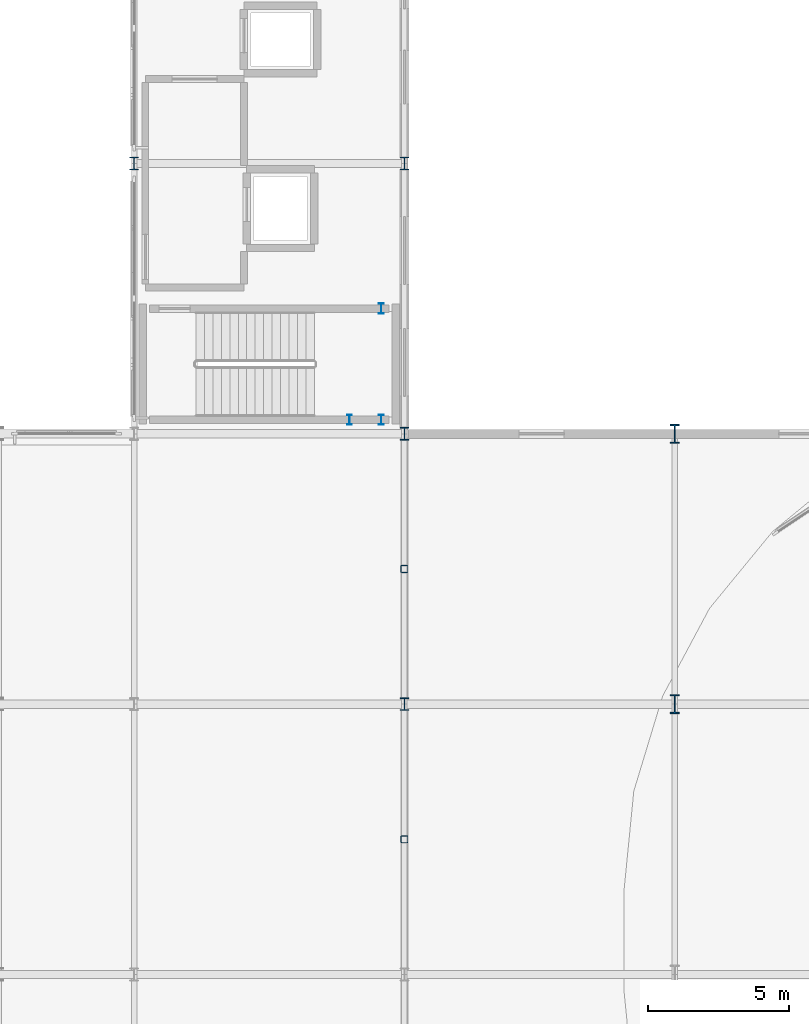
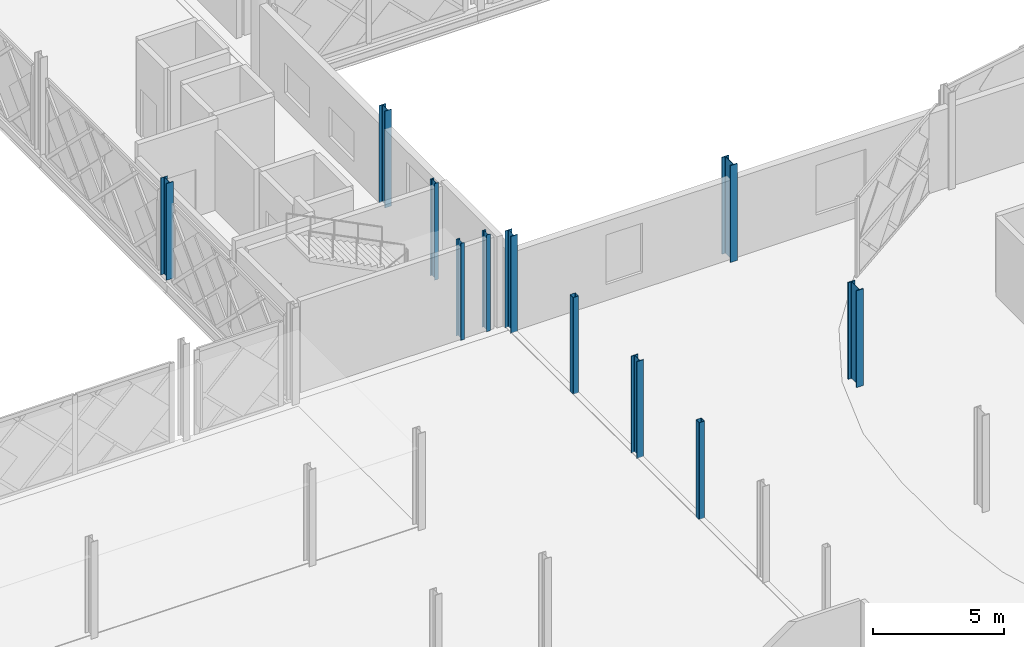
# One storey, part 9 of 101: 11 columns.
"""IFC4 building model written with IfcOpenShell, lengths in metres."""

from ifc_helpers import new_model, si_unit, direction, frame, origin, origin_2d, place, context, subcontext, project, spatial, hollow_rectangle, i_section, extrude, material, material_profile, profile_set, type_object, element, save


model = new_model("IFC4")

# Units and contexts
model_context = context("Model", 3, precision=1e-05, world=origin(), true_north=direction((0.0, 1.0)))
body_context = subcontext(model_context, "Body", "Model", "MODEL_VIEW")
ifc_project = project(units=[si_unit("LENGTHUNIT", "METRE"), si_unit("AREAUNIT", "SQUARE_METRE"), si_unit("VOLUMEUNIT", "CUBIC_METRE"), si_unit("PLANEANGLEUNIT", "RADIAN"), si_unit("MASSUNIT", "GRAM", prefix="KILO")], contexts=[model_context])

# Site, building, storey
site_placement = place(None, origin())
site = spatial("IfcSite", under=ifc_project, at=site_placement, CompositionType="ELEMENT")
building_placement = place(site_placement, origin())
building = spatial("IfcBuilding", under=site, at=building_placement, Name="Zevrakil Square Congress Hotel", CompositionType="ELEMENT")
storey_placement = place(building_placement, frame((0.0, 0.0, 5.39990234375)))
storey = spatial("IfcBuildingStorey", under=building, at=storey_placement, Name="L02", CompositionType="ELEMENT", Elevation=5.39990234375)

# Columns
ifc_material_1 = material(Name="Steel S355", Category="steel")
ifc_material_profile_1 = material_profile(ifc_material_1, i_section(OverallWidth=0.300048828125, OverallDepth=0.449951171875, WebThickness=0.013916015625, FlangeThickness=0.02587890625, FilletRadius=0.027099609375, at=origin_2d()), Name="HEB 450")
ifc_profile_set_1 = profile_set([ifc_material_profile_1], Name="Steel S355")
column_type_1 = type_object("IfcColumnType", Name="COL-HEB450", PredefinedType="COLUMN", material=ifc_profile_set_1)
for number, where, z_axis, x_axis, name in (
    (1, (108.0, 55.199951171875, 0.0), (0.0, 0.0, 1.0), (1.0, 0.0, 0.0), "L02 column C-169"),
    (2, (117.60009765625, 36.0, 0.0), (0.0, 0.0, 1.0), (1.0, 0.0, 0.0), "L02 column C-184"),
    (3, (117.60009765625, 45.60009765625, 0.0), (0.0, 0.0, 1.0), (1.0, 0.0, 0.0), "L02 column C-186"),
    (4, (117.60009765625, 55.199951171875, 0.0), (0.0, 0.0, 1.0), (1.0, 0.0, 0.0), "L02 column C-187"),
):
    element("IfcColumn", number, at=place(storey_placement, frame(where, z_axis=z_axis, x_axis=x_axis)), inside=storey, type_object=column_type_1, Name=name, PredefinedType="COLUMN", context=body_context, shape_type="SweptSolid", body=[
        extrude(i_section(OverallWidth=0.300048828125, OverallDepth=0.449951171875, WebThickness=0.013916015625, FlangeThickness=0.02587890625, FilletRadius=0.027099609375, at=origin_2d()), origin(), (0.0, 0.0, 1.0), 4.5),
    ])
ifc_material_2 = material(Name="Steel S355", Category="steel")
ifc_material_profile_2 = material_profile(ifc_material_2, i_section(OverallWidth=0.304931640625, OverallDepth=0.66796875, WebThickness=0.02099609375, FlangeThickness=0.0400390625, FilletRadius=0.027099609375, at=origin_2d()), Name="HEM 650")
ifc_profile_set_2 = profile_set([ifc_material_profile_2], Name="Steel S355")
column_type_2 = type_object("IfcColumnType", Name="COL-HEM650", PredefinedType="COLUMN", material=ifc_profile_set_2)
for number, where, z_axis, x_axis, name in (
    (5, (127.199951171875, 36.0, 0.0), (0.0, 0.0, 1.0), (1.0, 0.0, 0.0), "L02 column C-199"),
    (6, (127.199951171875, 45.60009765625, 0.0), (0.0, 0.0, 1.0), (1.0, 0.0, 0.0), "L02 column C-200"),
):
    element("IfcColumn", number, at=place(storey_placement, frame(where, z_axis=z_axis, x_axis=x_axis)), inside=storey, type_object=column_type_2, Name=name, PredefinedType="COLUMN", context=body_context, shape_type="SweptSolid", body=[
        extrude(i_section(OverallWidth=0.304931640625, OverallDepth=0.66796875, WebThickness=0.02099609375, FlangeThickness=0.0400390625, FilletRadius=0.027099609375, at=origin_2d()), origin(), (0.0, 0.0, 1.0), 4.5),
    ])
ifc_material_3 = material(Name="Steel S355", Category="steel")
ifc_material_profile_3 = material_profile(ifc_material_3, i_section(OverallWidth=0.169921875, OverallDepth=0.360107421875, WebThickness=0.008056640625, FlangeThickness=0.0126953125, FilletRadius=0.01806640625, at=origin_2d()), Name="IPE 360")
ifc_profile_set_3 = profile_set([ifc_material_profile_3], Name="Steel S355")
column_type_3 = type_object("IfcColumnType", Name="COL-PILASTER-SHS180", PredefinedType="PILASTER", material=ifc_profile_set_3)
for number, where, z_axis, x_axis, name in (
    (7, (115.64990234375, 46.10009765625, 0.0), (0.0, 0.0, 1.0), (1.0, 0.0, 0.0), "L02 ST07 stair shaft post 1"),
    (8, (116.780029296875, 46.10009765625, 0.0), (0.0, 0.0, 1.0), (1.0, 0.0, 0.0), "L02 ST07 stair shaft post 2"),
    (9, (116.780029296875, 50.050048828125, 0.0), (0.0, 0.0, 1.0), (1.0, 0.0, 0.0), "L02 ST07 stair shaft post 3"),
):
    element("IfcColumn", number, at=place(storey_placement, frame(where, z_axis=z_axis, x_axis=x_axis)), inside=storey, type_object=column_type_3, Name=name, PredefinedType="PILASTER", context=body_context, shape_type="SweptSolid", body=[
        extrude(i_section(OverallWidth=0.169921875, OverallDepth=0.360107421875, WebThickness=0.008056640625, FlangeThickness=0.0126953125, FilletRadius=0.01806640625, at=origin_2d()), origin(), (0.0, 0.0, 1.0), 4.5),
    ])
ifc_material_4 = material(Name="Steel S355", Category="steel")
ifc_material_profile_4 = material_profile(ifc_material_4, hollow_rectangle(XDim=0.25, YDim=0.25, WallThickness=0.012451171875, InnerFilletRadius=0.012451171875, OuterFilletRadius=0.02490234375, at=origin_2d()), Name="SHS 250x250x12.5")
ifc_profile_set_4 = profile_set([ifc_material_profile_4], Name="Steel S355")
column_type_4 = type_object("IfcColumnType", Name="COL-PILASTER-SHS250", PredefinedType="PILASTER", material=ifc_profile_set_4)
for number, where, z_axis, x_axis, name in (
    (10, (117.60009765625, 31.199951171875, 0.0), (0.0, 0.0, 1.0), (1.0, 0.0, 0.0), "L02 pilaster PL-07"),
    (11, (117.60009765625, 40.800048828125, 0.0), (0.0, 0.0, 1.0), (1.0, 0.0, 0.0), "L02 pilaster PL-08"),
):
    element("IfcColumn", number, at=place(storey_placement, frame(where, z_axis=z_axis, x_axis=x_axis)), inside=storey, type_object=column_type_4, Name=name, PredefinedType="PILASTER", context=body_context, shape_type="SweptSolid", body=[
        extrude(hollow_rectangle(XDim=0.25, YDim=0.25, WallThickness=0.012451171875, InnerFilletRadius=0.012451171875, OuterFilletRadius=0.02490234375, at=origin_2d()), origin(), (0.0, 0.0, 1.0), 4.5),
    ])

save(model, "model.ifc")
